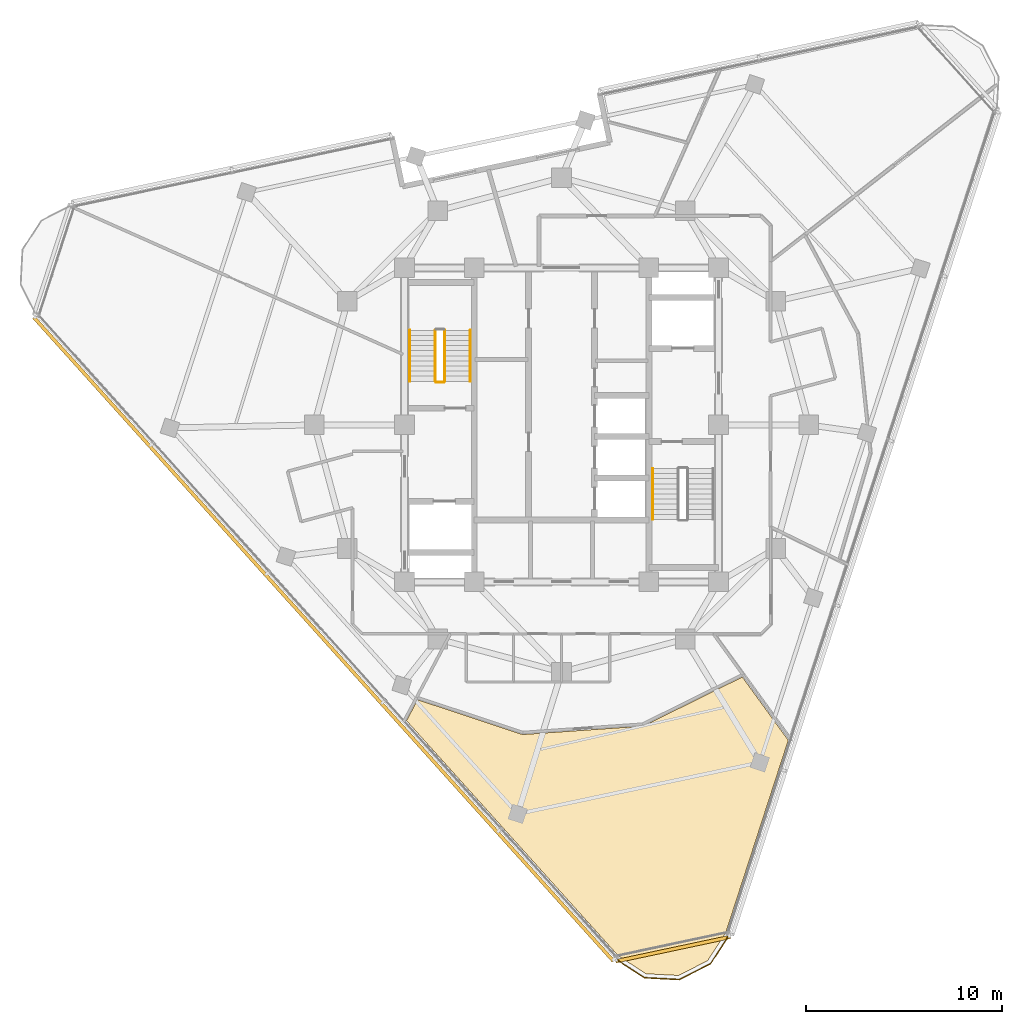
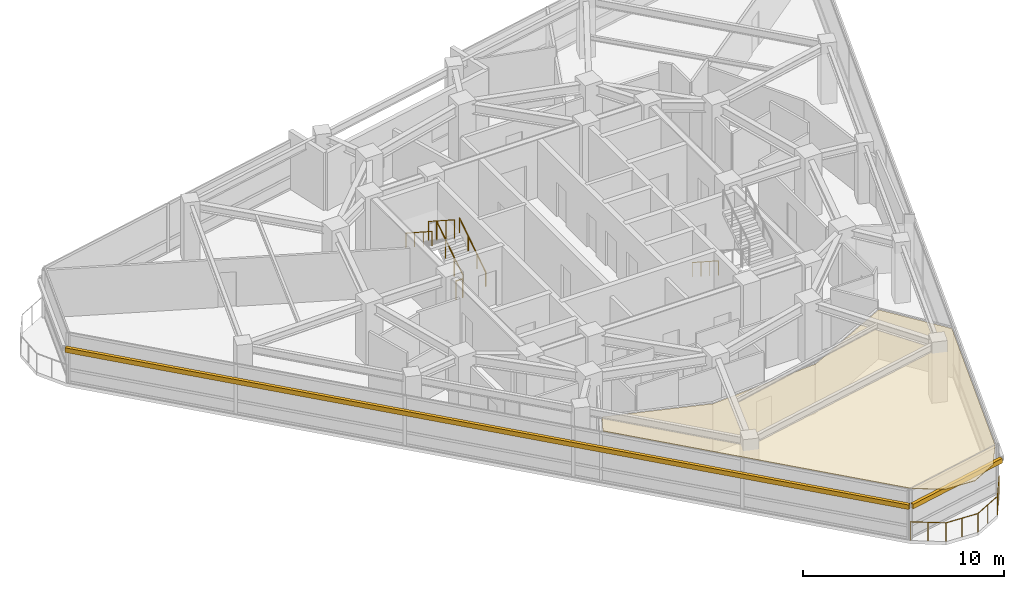
# One storey, part 12 of 15: 7 railings, 2 shading devices, 1 covering.
"""IFC4 building model written with IfcOpenShell, lengths in metres."""

from ifc_helpers import new_model, si_unit, direction, frame, origin, origin_2d, place, context, subcontext, project, spatial, polyline, rectangle, circle, outline, extrude, material, layer, layer_set, type_object, element, save


model = new_model("IFC4")

# Units and contexts
model_context = context("Model", 3, precision=1e-05, world=origin(), true_north=direction((0.0, 1.0)))
body_context = subcontext(model_context, "Body", "Model", "MODEL_VIEW")
ifc_project = project(units=[si_unit("LENGTHUNIT", "METRE"), si_unit("AREAUNIT", "SQUARE_METRE"), si_unit("VOLUMEUNIT", "CUBIC_METRE"), si_unit("PLANEANGLEUNIT", "RADIAN"), si_unit("MASSUNIT", "GRAM", prefix="KILO")], contexts=[model_context])

# Site, building, storey
site_placement = place(None, origin())
site = spatial("IfcSite", under=ifc_project, at=site_placement, CompositionType="ELEMENT")
building_placement = place(site_placement, origin())
building = spatial("IfcBuilding", under=site, at=building_placement, Name="Terralouvre Media Tower", CompositionType="ELEMENT")
storey_placement = place(building_placement, frame((0.0, 0.0, 301.699951171875)))
storey = spatial("IfcBuildingStorey", under=building, at=storey_placement, Name="L78", CompositionType="ELEMENT", Elevation=301.699951171875)

# Covering
ifc_material_1 = material(Name="Perforated aluminium acoustic ceiling baffle", Category="aluminium")
ifc_layer_1 = layer(ifc_material_1, 0.0400390625, Name="Perforated Acoustic Metal Tile Ceiling CL-AC1")
ifc_layer_set_1 = layer_set([ifc_layer_1], Name="Perforated aluminium acoustic ceiling baffle")
covering_type = type_object("IfcCoveringType", Name="Perforated Acoustic Metal Tile Ceiling CL-AC1", PredefinedType="CEILING", material=ifc_layer_set_1)
covering_placement = place(storey_placement, frame((0.0, 0.0, 2.97998046875), z_axis=(0.0, 0.0, 1.0), x_axis=(0.309016994375, 0.951056516295, 0.0)))
element("IfcCovering", 1, at=covering_placement, inside=storey, type_object=covering_type, Name="L78 UX Sprint Project Conference Room 4 Acoustic Ceiling", PredefinedType="CEILING", context=body_context, shape_type="SweptSolid", body=[
    extrude(outline(polyline([(-13.297607421875, -8.714111328125), (-13.30419921875, -8.706787109375), (-13.309814453125, -8.698974609375), (-13.314697265625, -8.6904296875), (-13.31884765625, -8.681640625), (-15.611572265625, -3.00732421875), (-15.61474609375, -2.998046875), (-15.616943359375, -2.98876953125), (-15.618408203125, -2.97900390625), (-15.618896484375, -2.96923828125), (-15.586181640625, 2.646484375), (-16.77587890625, 2.856689453125), (-24.83447265625, -11.10107421875), (-25.272705078125, -12.736083984375), (-24.841552734375, -14.342041015625), (-23.666015625, -15.518310546875), (-22.03125, -15.9560546875), (-11.716064453125, -15.95654296875), (-9.373046875, -12.730224609375), (-13.297607421875, -8.714111328125)])), origin(), (0.0, 0.0, 1.0), 0.0400390625),
])

# Railings
ifc_material_2 = material(Name="Stainless steel 316 handrail and balustrade", Category="steel")
ifc_layer_2 = layer(ifc_material_2, 0.06005859375, Name="Roof Edge Safety Guardrail GR-ROOF1")
ifc_layer_set_2 = layer_set([ifc_layer_2], Name="Stainless steel 316 handrail and balustrade")
railing_type_1 = type_object("IfcRailingType", Name="Roof Edge Safety Guardrail GR-ROOF1", PredefinedType="GUARDRAIL", material=ifc_layer_set_2)
railing_1_placement = place(storey_placement, frame((2.738037109375, -27.202880859375, 0.0)))
element("IfcRailing", 2, at=railing_1_placement, inside=storey, type_object=railing_type_1, Name="L78 Wind-Corner Perimeter Safety Guardrail C0", PredefinedType="GUARDRAIL", context=body_context, shape_type="SweptSolid", body=[
    extrude(circle(Radius=0.02099609375, at=origin_2d()), frame((0.0, 0.0, 1.12890625), z_axis=(0.838512544294, -0.544882292849, 0.0), x_axis=(0.544882292849, 0.838512544294, 0.0)), (0.0, 0.0, 1.0), 1.780029296875),
    extrude(circle(Radius=0.02099609375, at=origin_2d()), frame((1.49267578125, -0.969970703125, 1.12890625), z_axis=(0.998626153307, -0.052400438264, 0.0), x_axis=(0.052400438264, 0.998626153307, 0.0)), (0.0, 0.0, 1.0), 1.77978515625),
    extrude(circle(Radius=0.02099609375, at=origin_2d()), frame((3.27001953125, -1.063232421875, 1.12890625), z_axis=(0.890999717441, 0.454003858487, 0.0), x_axis=(-0.454003858487, 0.890999717441, 0.0)), (0.0, 0.0, 1.0), 1.780029296875),
    extrude(circle(Radius=0.02099609375, at=origin_2d()), frame((4.85595703125, -0.255126953125, 1.12890625), z_axis=(0.544371122697, 0.838844491413, 0.0), x_axis=(-0.838844491413, 0.544371122697, 0.0)), (0.0, 0.0, 1.0), 1.780029296875),
    extrude(circle(Radius=0.01904296875, at=origin_2d()), origin(), (0.0, 0.0, 1.0), 1.10791015625),
    extrude(circle(Radius=0.01904296875, at=origin_2d()), frame((0.746337890625, -0.48486328125, 0.0)), (0.0, 0.0, 1.0), 1.10791015625),
    extrude(circle(Radius=0.01904296875, at=origin_2d()), frame((1.49267578125, -0.969970703125, 0.0)), (0.0, 0.0, 1.0), 1.10791015625),
    extrude(circle(Radius=0.01904296875, at=origin_2d()), frame((2.38134765625, -1.0166015625, 0.0)), (0.0, 0.0, 1.0), 1.10791015625),
    extrude(circle(Radius=0.01904296875, at=origin_2d()), frame((3.27001953125, -1.063232421875, 0.0)), (0.0, 0.0, 1.0), 1.10791015625),
    extrude(circle(Radius=0.01904296875, at=origin_2d()), frame((4.06298828125, -0.6591796875, 0.0)), (0.0, 0.0, 1.0), 1.10791015625),
    extrude(circle(Radius=0.01904296875, at=origin_2d()), frame((4.85595703125, -0.255126953125, 0.0)), (0.0, 0.0, 1.0), 1.10791015625),
    extrude(circle(Radius=0.01904296875, at=origin_2d()), frame((5.34033203125, 0.491455078125, 0.0)), (0.0, 0.0, 1.0), 1.10791015625),
    extrude(circle(Radius=0.01904296875, at=origin_2d()), frame((5.824951171875, 1.238037109375, 0.0)), (0.0, 0.0, 1.0), 1.10791015625),
])
ifc_material_3 = material(Name="Stainless steel 316 handrail and balustrade", Category="steel")
ifc_layer_3 = layer(ifc_material_3, 0.050048828125, Name="Stair Flight Wall Handrail HR-INT1")
ifc_layer_set_3 = layer_set([ifc_layer_3], Name="Stainless steel 316 handrail and balustrade")
railing_type_2 = type_object("IfcRailingType", Name="Stair Flight Wall Handrail HR-INT1", PredefinedType="HANDRAIL", material=ifc_layer_set_3)
railing_2_placement = place(storey_placement, frame((-4.64990234375, 2.219970703125, 0.168212890625)))
element("IfcRailing", 3, at=railing_2_placement, inside=storey, type_object=railing_type_2, Name="L78 ST-01 stair handrail 1", PredefinedType="HANDRAIL", context=body_context, shape_type="SweptSolid", body=[
    extrude(circle(Radius=0.02392578125, at=origin_2d()), frame((0.0, 0.0, 0.8759765625), z_axis=(0.0, 0.839648411786, 0.543130320075), x_axis=(-1.0, 0.0, 0.0)), (0.0, 0.0, 1.0), 3.0966796875),
    extrude(circle(Radius=0.02099609375, at=origin_2d()), origin(), (0.0, 0.0, 1.0), 0.851806640625),
    extrude(circle(Radius=0.02099609375, at=origin_2d()), frame((0.0, 0.86669921875, 0.560546875)), (0.0, 0.0, 1.0), 0.851806640625),
    extrude(circle(Radius=0.02099609375, at=origin_2d()), frame((0.0, 1.7333984375, 1.121337890625)), (0.0, 0.0, 1.0), 0.851806640625),
    extrude(circle(Radius=0.02099609375, at=origin_2d()), frame((0.0, 2.60009765625, 1.681884765625)), (0.0, 0.0, 1.0), 0.851806640625),
])
railing_3_placement = place(storey_placement, frame((-7.72998046875, 4.820068359375, 2.018310546875)))
element("IfcRailing", 4, at=railing_3_placement, inside=storey, type_object=railing_type_2, Name="L78 ST-01 stair handrail 2", PredefinedType="HANDRAIL", context=body_context, shape_type="SweptSolid", body=[
    extrude(circle(Radius=0.02392578125, at=origin_2d()), frame((0.0, 0.0, 0.8759765625), z_axis=(0.0, -0.839684365666, 0.543074733399), x_axis=(1.0, 0.0, 0.0)), (0.0, 0.0, 1.0), 3.096435546875),
    extrude(circle(Radius=0.02099609375, at=origin_2d()), origin(), (0.0, 0.0, 1.0), 0.851806640625),
    extrude(circle(Radius=0.02099609375, at=origin_2d()), frame((0.0, -0.86669921875, 0.560546875)), (0.0, 0.0, 1.0), 0.851806640625),
    extrude(circle(Radius=0.02099609375, at=origin_2d()), frame((0.0, -1.7333984375, 1.12109375)), (0.0, 0.0, 1.0), 0.851806640625),
    extrude(circle(Radius=0.02099609375, at=origin_2d()), frame((0.0, -2.60009765625, 1.681640625)), (0.0, 0.0, 1.0), 0.851806640625),
])
railing_4_placement = place(storey_placement, frame((4.64990234375, -2.219970703125, 0.168212890625)))
element("IfcRailing", 5, at=railing_4_placement, inside=storey, type_object=railing_type_2, Name="L78 ST-02 stair handrail 1", PredefinedType="HANDRAIL", context=body_context, shape_type="SweptSolid", body=[
    extrude(circle(Radius=0.02392578125, at=origin_2d()), frame((0.0, 0.0, 0.8759765625), z_axis=(0.0, -0.839648411786, 0.543130320075), x_axis=(1.0, 0.0, 0.0)), (0.0, 0.0, 1.0), 3.0966796875),
    extrude(circle(Radius=0.02099609375, at=origin_2d()), origin(), (0.0, 0.0, 1.0), 0.851806640625),
    extrude(circle(Radius=0.02099609375, at=origin_2d()), frame((0.0, -0.86669921875, 0.560546875)), (0.0, 0.0, 1.0), 0.851806640625),
    extrude(circle(Radius=0.02099609375, at=origin_2d()), frame((0.0, -1.7333984375, 1.121337890625)), (0.0, 0.0, 1.0), 0.851806640625),
    extrude(circle(Radius=0.02099609375, at=origin_2d()), frame((0.0, -2.60009765625, 1.681884765625)), (0.0, 0.0, 1.0), 0.851806640625),
])
ifc_material_4 = material(Name="Stainless steel 316 handrail and balustrade", Category="steel")
ifc_layer_4 = layer(ifc_material_4, 0.050048828125, Name="Stairwell Safety Guardrail GR-INT1")
ifc_layer_set_4 = layer_set([ifc_layer_4], Name="Stainless steel 316 handrail and balustrade")
railing_type_3 = type_object("IfcRailingType", Name="Stairwell Safety Guardrail GR-INT1", PredefinedType="GUARDRAIL", material=ifc_layer_set_4)
railing_5_placement = place(storey_placement, frame((-5.949951171875, 2.219970703125, 0.168212890625)))
element("IfcRailing", 6, at=railing_5_placement, inside=storey, type_object=railing_type_3, Name="L78 ST-01 stair guard 1", PredefinedType="GUARDRAIL", context=body_context, shape_type="SweptSolid", body=[
    extrude(circle(Radius=0.02392578125, at=origin_2d()), frame((0.0, 0.0, 1.1259765625), z_axis=(0.0, 0.839648411786, 0.543130320075), x_axis=(-1.0, 0.0, 0.0)), (0.0, 0.0, 1.0), 3.0966796875),
    extrude(circle(Radius=0.02099609375, at=origin_2d()), origin(), (0.0, 0.0, 1.0), 1.101806640625),
    extrude(circle(Radius=0.02099609375, at=origin_2d()), frame((0.0, 0.86669921875, 0.560546875)), (0.0, 0.0, 1.0), 1.101806640625),
    extrude(circle(Radius=0.02099609375, at=origin_2d()), frame((0.0, 1.7333984375, 1.121337890625)), (0.0, 0.0, 1.0), 1.101806640625),
    extrude(circle(Radius=0.02099609375, at=origin_2d()), frame((0.0, 2.60009765625, 1.681884765625)), (0.0, 0.0, 1.0), 1.101806640625),
])
railing_6_placement = place(storey_placement, frame((-6.429931640625, 4.820068359375, 2.018310546875)))
element("IfcRailing", 7, at=railing_6_placement, inside=storey, type_object=railing_type_3, Name="L78 ST-01 stair guard 3", PredefinedType="GUARDRAIL", context=body_context, shape_type="SweptSolid", body=[
    extrude(circle(Radius=0.02392578125, at=origin_2d()), frame((0.0, 0.0, 1.1259765625), z_axis=(0.0, -0.839684365666, 0.543074733399), x_axis=(1.0, 0.0, 0.0)), (0.0, 0.0, 1.0), 3.096435546875),
    extrude(circle(Radius=0.02099609375, at=origin_2d()), origin(), (0.0, 0.0, 1.0), 1.101806640625),
    extrude(circle(Radius=0.02099609375, at=origin_2d()), frame((0.0, -0.86669921875, 0.560546875)), (0.0, 0.0, 1.0), 1.101806640625),
    extrude(circle(Radius=0.02099609375, at=origin_2d()), frame((0.0, -1.7333984375, 1.12109375)), (0.0, 0.0, 1.0), 1.101806640625),
    extrude(circle(Radius=0.02099609375, at=origin_2d()), frame((0.0, -2.60009765625, 1.681640625)), (0.0, 0.0, 1.0), 1.101806640625),
])
railing_7_placement = place(storey_placement, frame((-6.0, 2.169921875, 0.0)))
element("IfcRailing", 8, at=railing_7_placement, inside=storey, type_object=railing_type_3, Name="L78 ST-01 stair guard 4", PredefinedType="GUARDRAIL", context=body_context, shape_type="SweptSolid", body=[
    extrude(circle(Radius=0.02392578125, at=origin_2d()), frame((0.0, 0.0, 1.1259765625), z_axis=(-1.0, 0.0, 0.0), x_axis=(0.0, -1.0, 0.0)), (0.0, 0.0, 1.0), 0.3798828125),
    extrude(circle(Radius=0.02099609375, at=origin_2d()), origin(), (0.0, 0.0, 1.0), 1.101806640625),
    extrude(circle(Radius=0.02099609375, at=origin_2d()), frame((-0.3798828125, 0.0, 0.0)), (0.0, 0.0, 1.0), 1.101806640625),
])

# Shading devices
ifc_material_5 = material(Name="Extruded terracotta baguette sunshade louvres", Category="masonry")
shading_device_type = type_object("IfcShadingDeviceType", Name="Terracotta Baguette Sunshade Louvre Screen TB-LV1", PredefinedType="USERDEFINED", material=ifc_material_5)
shading_device_1_placement = place(storey_placement, frame((-12.12548828125, -10.917724609375, 2.02392578125), z_axis=(0.0, 0.0, 1.0), x_axis=(0.669130573531, -0.743144855036, 0.0)))
element("IfcShadingDevice", 9, at=shading_device_1_placement, inside=storey, type_object=shading_device_type, Name="CW-L78-F2 Terracotta Baguette Sunshade Louvre", ObjectType="BAGUETTE", PredefinedType="USERDEFINED", context=body_context, shape_type="SweptSolid", body=[
    extrude(rectangle(XDim=44.1201171875, YDim=0.179931640625, at=origin_2d()), origin(), (0.0, 0.0, 1.0), 0.280029296875),
])
shading_device_2_placement = place(storey_placement, frame((5.6787109375, -26.7158203125, 2.02392578125), z_axis=(0.0, 0.0, 1.0), x_axis=(0.978147609922, 0.207911647592, 0.0)))
element("IfcShadingDevice", 10, at=shading_device_2_placement, inside=storey, type_object=shading_device_type, Name="CW-L78-C0 Terracotta Baguette Sunshade Louvre", ObjectType="BAGUETTE", PredefinedType="USERDEFINED", context=body_context, shape_type="SweptSolid", body=[
    extrude(rectangle(XDim=5.958251953125, YDim=0.179931640625, at=origin_2d()), origin(), (0.0, 0.0, 1.0), 0.280029296875),
])

save(model, "model.ifc")
